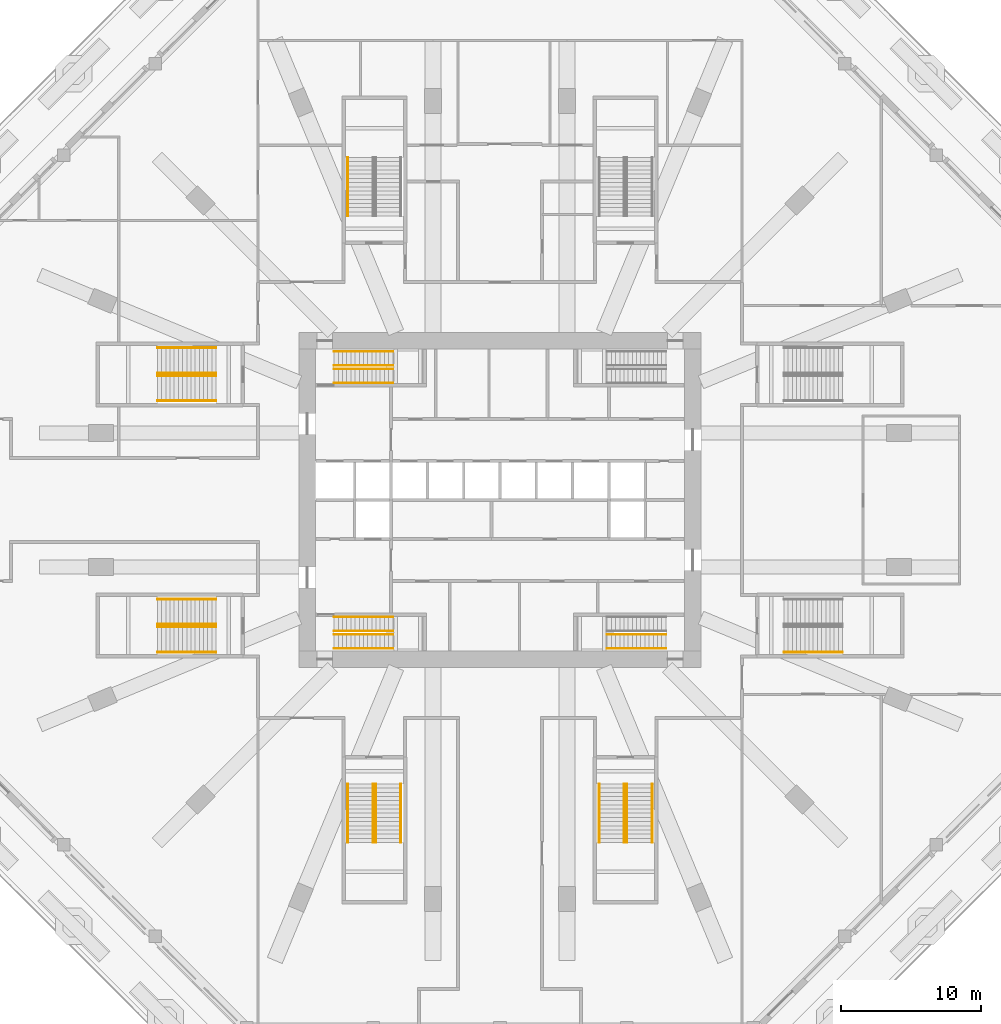
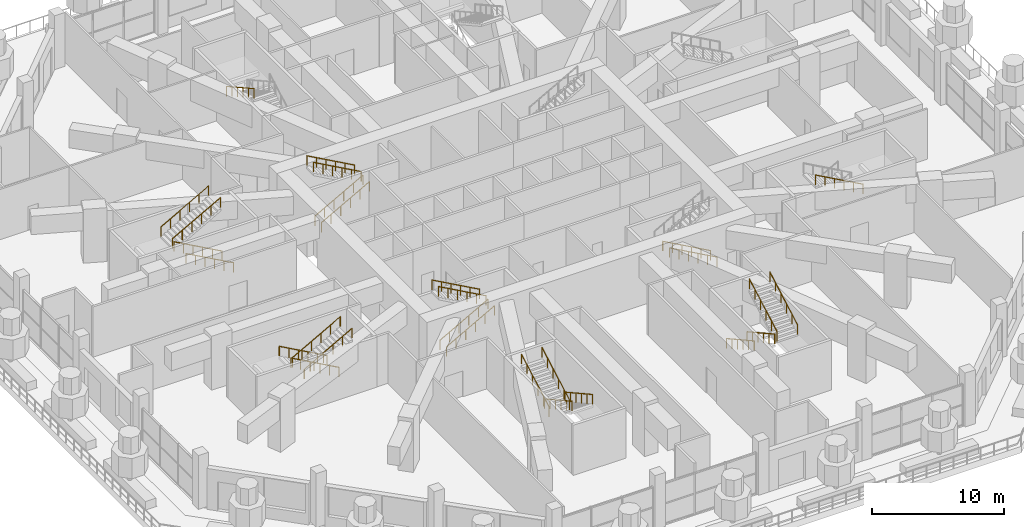
# One storey, part 23 of 25: 28 railings.
"""IFC4 building model written with IfcOpenShell, lengths in metres."""

from ifc_helpers import new_model, si_unit, direction, frame, origin, origin_2d, place, context, subcontext, project, spatial, circle, extrude, material, constituent, constituent_set, type_object, element, save


model = new_model("IFC4")

# Units and contexts
model_context = context("Model", 3, precision=1e-05, world=origin(), true_north=direction((0.0, 1.0)))
body_context = subcontext(model_context, "Body", "Model", "MODEL_VIEW")
ifc_project = project(units=[si_unit("LENGTHUNIT", "METRE"), si_unit("AREAUNIT", "SQUARE_METRE"), si_unit("VOLUMEUNIT", "CUBIC_METRE"), si_unit("PLANEANGLEUNIT", "RADIAN"), si_unit("MASSUNIT", "GRAM", prefix="KILO")], contexts=[model_context])

# Site, building, storey
site_placement = place(None, origin())
site = spatial("IfcSite", under=ifc_project, at=site_placement, CompositionType="ELEMENT")
building_placement = place(site_placement, origin())
building = spatial("IfcBuilding", under=site, at=building_placement, Name="Msitu Wima Residences", CompositionType="ELEMENT")
storey_placement = place(building_placement, frame((0.0, 0.0, 11.0)))
storey = spatial("IfcBuildingStorey", under=building, at=storey_placement, Name="L02", CompositionType="ELEMENT", Elevation=11.0)

# Railings
ifc_material_1 = material(Name="Steel S355", Category="steel")
ifc_constituent_1 = constituent(ifc_material_1, Name="Steel S355")
ifc_material_2 = material(Name="Black powder coating")
ifc_constituent_2 = constituent(ifc_material_2, Name="Black powder coating")
ifc_constituent_set = constituent_set(constituents=[ifc_constituent_1, ifc_constituent_2], Name="Steel S355")
railing_type = type_object("IfcRailingType", Name="Stair handrail HR1", PredefinedType="HANDRAIL", material=ifc_constituent_set)
for number, where, name in (
    (1, (-11.875, 8.375, 0.166748046875), "Stair 1 handrail"),
    (2, (-11.875, 9.375, 0.166748046875), "Stair 1 handrail"),
):
    element("IfcRailing", number, at=place(storey_placement, frame(where)), inside=storey, type_object=railing_type, Name=name, PredefinedType="HANDRAIL", context=body_context, shape_type="SweptSolid", body=[
        extrude(circle(Radius=0.02392578125, at=origin_2d()), frame((0.0, 0.0, 0.8759765625), z_axis=(0.874162069901, 0.0, 0.485634302275), x_axis=(0.0, 1.0, 0.0)), (0.0, 0.0, 1.0), 4.804443359375),
        extrude(circle(Radius=0.02099609375, at=origin_2d()), origin(), (0.0, 0.0, 1.0), 0.851806640625),
        extrude(circle(Radius=0.02099609375, at=origin_2d()), frame((0.840087890625, 0.0, 0.466552734375)), (0.0, 0.0, 1.0), 0.851806640625),
        extrude(circle(Radius=0.02099609375, at=origin_2d()), frame((1.679931640625, 0.0, 0.933349609375)), (0.0, 0.0, 1.0), 0.851806640625),
        extrude(circle(Radius=0.02099609375, at=origin_2d()), frame((2.52001953125, 0.0, 1.39990234375)), (0.0, 0.0, 1.0), 0.851806640625),
        extrude(circle(Radius=0.02099609375, at=origin_2d()), frame((3.35986328125, 0.0, 1.86669921875)), (0.0, 0.0, 1.0), 0.851806640625),
        extrude(circle(Radius=0.02099609375, at=origin_2d()), frame((4.199951171875, 0.0, 2.333251953125)), (0.0, 0.0, 1.0), 0.851806640625),
    ])
for number, where, name in (
    (3, (-7.675048828125, 9.625, 2.666748046875), "Stair 1 handrail"),
    (4, (-7.675048828125, 10.625, 2.666748046875), "Stair 1 handrail"),
):
    element("IfcRailing", number, at=place(storey_placement, frame(where)), inside=storey, type_object=railing_type, Name=name, PredefinedType="HANDRAIL", context=body_context, shape_type="SweptSolid", body=[
        extrude(circle(Radius=0.02392578125, at=origin_2d()), frame((0.0, 0.0, 0.8759765625), z_axis=(-0.874162069901, 0.0, 0.485634302275), x_axis=(0.0, -1.0, 0.0)), (0.0, 0.0, 1.0), 4.804443359375),
        extrude(circle(Radius=0.02099609375, at=origin_2d()), origin(), (0.0, 0.0, 1.0), 0.851806640625),
        extrude(circle(Radius=0.02099609375, at=origin_2d()), frame((-0.840087890625, 0.0, 0.466552734375)), (0.0, 0.0, 1.0), 0.851806640625),
        extrude(circle(Radius=0.02099609375, at=origin_2d()), frame((-1.679931640625, 0.0, 0.933349609375)), (0.0, 0.0, 1.0), 0.851806640625),
        extrude(circle(Radius=0.02099609375, at=origin_2d()), frame((-2.52001953125, 0.0, 1.39990234375)), (0.0, 0.0, 1.0), 0.851806640625),
        extrude(circle(Radius=0.02099609375, at=origin_2d()), frame((-3.35986328125, 0.0, 1.86669921875)), (0.0, 0.0, 1.0), 0.851806640625),
        extrude(circle(Radius=0.02099609375, at=origin_2d()), frame((-4.199951171875, 0.0, 2.333251953125)), (0.0, 0.0, 1.0), 0.851806640625),
    ])
for number, where, name in (
    (5, (-11.875, -10.625, 0.166748046875), "Stair 2 handrail"),
    (6, (-11.875, -9.625, 0.166748046875), "Stair 2 handrail"),
):
    element("IfcRailing", number, at=place(storey_placement, frame(where)), inside=storey, type_object=railing_type, Name=name, PredefinedType="HANDRAIL", context=body_context, shape_type="SweptSolid", body=[
        extrude(circle(Radius=0.02392578125, at=origin_2d()), frame((0.0, 0.0, 0.8759765625), z_axis=(0.874162069901, 0.0, 0.485634302275), x_axis=(0.0, 1.0, 0.0)), (0.0, 0.0, 1.0), 4.804443359375),
        extrude(circle(Radius=0.02099609375, at=origin_2d()), origin(), (0.0, 0.0, 1.0), 0.851806640625),
        extrude(circle(Radius=0.02099609375, at=origin_2d()), frame((0.840087890625, 0.0, 0.466552734375)), (0.0, 0.0, 1.0), 0.851806640625),
        extrude(circle(Radius=0.02099609375, at=origin_2d()), frame((1.679931640625, 0.0, 0.933349609375)), (0.0, 0.0, 1.0), 0.851806640625),
        extrude(circle(Radius=0.02099609375, at=origin_2d()), frame((2.52001953125, 0.0, 1.39990234375)), (0.0, 0.0, 1.0), 0.851806640625),
        extrude(circle(Radius=0.02099609375, at=origin_2d()), frame((3.35986328125, 0.0, 1.86669921875)), (0.0, 0.0, 1.0), 0.851806640625),
        extrude(circle(Radius=0.02099609375, at=origin_2d()), frame((4.199951171875, 0.0, 2.333251953125)), (0.0, 0.0, 1.0), 0.851806640625),
    ])
for number, where, name in (
    (7, (-7.675048828125, -9.375, 2.666748046875), "Stair 2 handrail"),
    (8, (-7.675048828125, -8.375, 2.666748046875), "Stair 2 handrail"),
    (9, (11.875, -10.625, 0.166748046875), "Stair 4 handrail"),
    (10, (11.875, -9.625, 0.166748046875), "Stair 4 handrail"),
    (11, (24.52490234375, -10.89990234375, 2.666748046875), "Podium exit stair 2 handrail"),
):
    element("IfcRailing", number, at=place(storey_placement, frame(where)), inside=storey, type_object=railing_type, Name=name, PredefinedType="HANDRAIL", context=body_context, shape_type="SweptSolid", body=[
        extrude(circle(Radius=0.02392578125, at=origin_2d()), frame((0.0, 0.0, 0.8759765625), z_axis=(-0.874162069901, 0.0, 0.485634302275), x_axis=(0.0, -1.0, 0.0)), (0.0, 0.0, 1.0), 4.804443359375),
        extrude(circle(Radius=0.02099609375, at=origin_2d()), origin(), (0.0, 0.0, 1.0), 0.851806640625),
        extrude(circle(Radius=0.02099609375, at=origin_2d()), frame((-0.840087890625, 0.0, 0.466552734375)), (0.0, 0.0, 1.0), 0.851806640625),
        extrude(circle(Radius=0.02099609375, at=origin_2d()), frame((-1.679931640625, 0.0, 0.933349609375)), (0.0, 0.0, 1.0), 0.851806640625),
        extrude(circle(Radius=0.02099609375, at=origin_2d()), frame((-2.52001953125, 0.0, 1.39990234375)), (0.0, 0.0, 1.0), 0.851806640625),
        extrude(circle(Radius=0.02099609375, at=origin_2d()), frame((-3.35986328125, 0.0, 1.86669921875)), (0.0, 0.0, 1.0), 0.851806640625),
        extrude(circle(Radius=0.02099609375, at=origin_2d()), frame((-4.199951171875, 0.0, 2.333251953125)), (0.0, 0.0, 1.0), 0.851806640625),
    ])
railing_placement = place(storey_placement, frame((-10.89990234375, 24.52490234375, 2.666748046875)))
element("IfcRailing", 12, at=railing_placement, inside=storey, type_object=railing_type, Name="Podium exit stair 3 handrail", PredefinedType="HANDRAIL", context=body_context, shape_type="SweptSolid", body=[
    extrude(circle(Radius=0.02392578125, at=origin_2d()), frame((0.0, 0.0, 0.8759765625), z_axis=(0.0, -0.874162069901, 0.485634302275), x_axis=(1.0, 0.0, 0.0)), (0.0, 0.0, 1.0), 4.804443359375),
    extrude(circle(Radius=0.02099609375, at=origin_2d()), origin(), (0.0, 0.0, 1.0), 0.851806640625),
    extrude(circle(Radius=0.02099609375, at=origin_2d()), frame((0.0, -0.840087890625, 0.466552734375)), (0.0, 0.0, 1.0), 0.851806640625),
    extrude(circle(Radius=0.02099609375, at=origin_2d()), frame((0.0, -1.679931640625, 0.933349609375)), (0.0, 0.0, 1.0), 0.851806640625),
    extrude(circle(Radius=0.02099609375, at=origin_2d()), frame((0.0, -2.52001953125, 1.39990234375)), (0.0, 0.0, 1.0), 0.851806640625),
    extrude(circle(Radius=0.02099609375, at=origin_2d()), frame((0.0, -3.35986328125, 1.86669921875)), (0.0, 0.0, 1.0), 0.851806640625),
    extrude(circle(Radius=0.02099609375, at=origin_2d()), frame((0.0, -4.199951171875, 2.333251953125)), (0.0, 0.0, 1.0), 0.851806640625),
])
for number, where, name in (
    (13, (-20.324951171875, -7.10009765625, 0.166748046875), "Podium exit stair 5 handrail"),
    (14, (-20.324951171875, -8.89990234375, 0.166748046875), "Podium exit stair 5 handrail"),
):
    element("IfcRailing", number, at=place(storey_placement, frame(where)), inside=storey, type_object=railing_type, Name=name, PredefinedType="HANDRAIL", context=body_context, shape_type="SweptSolid", body=[
        extrude(circle(Radius=0.02392578125, at=origin_2d()), frame((0.0, 0.0, 0.8759765625), z_axis=(-0.874162069901, 0.0, 0.485634302275), x_axis=(0.0, -1.0, 0.0)), (0.0, 0.0, 1.0), 4.804443359375),
        extrude(circle(Radius=0.02099609375, at=origin_2d()), origin(), (0.0, 0.0, 1.0), 0.851806640625),
        extrude(circle(Radius=0.02099609375, at=origin_2d()), frame((-0.840087890625, 0.0, 0.466552734375)), (0.0, 0.0, 1.0), 0.851806640625),
        extrude(circle(Radius=0.02099609375, at=origin_2d()), frame((-1.679931640625, 0.0, 0.933349609375)), (0.0, 0.0, 1.0), 0.851806640625),
        extrude(circle(Radius=0.02099609375, at=origin_2d()), frame((-2.52001953125, 0.0, 1.39990234375)), (0.0, 0.0, 1.0), 0.851806640625),
        extrude(circle(Radius=0.02099609375, at=origin_2d()), frame((-3.35986328125, 0.0, 1.86669921875)), (0.0, 0.0, 1.0), 0.851806640625),
        extrude(circle(Radius=0.02099609375, at=origin_2d()), frame((-4.199951171875, 0.0, 2.333251953125)), (0.0, 0.0, 1.0), 0.851806640625),
    ])
for number, where, name in (
    (15, (-24.52490234375, -9.10009765625, 2.666748046875), "Podium exit stair 5 handrail"),
    (16, (-24.52490234375, -10.89990234375, 2.666748046875), "Podium exit stair 5 handrail"),
):
    element("IfcRailing", number, at=place(storey_placement, frame(where)), inside=storey, type_object=railing_type, Name=name, PredefinedType="HANDRAIL", context=body_context, shape_type="SweptSolid", body=[
        extrude(circle(Radius=0.02392578125, at=origin_2d()), frame((0.0, 0.0, 0.8759765625), z_axis=(0.874162069901, 0.0, 0.485634302275), x_axis=(0.0, 1.0, 0.0)), (0.0, 0.0, 1.0), 4.804443359375),
        extrude(circle(Radius=0.02099609375, at=origin_2d()), origin(), (0.0, 0.0, 1.0), 0.851806640625),
        extrude(circle(Radius=0.02099609375, at=origin_2d()), frame((0.840087890625, 0.0, 0.466552734375)), (0.0, 0.0, 1.0), 0.851806640625),
        extrude(circle(Radius=0.02099609375, at=origin_2d()), frame((1.679931640625, 0.0, 0.933349609375)), (0.0, 0.0, 1.0), 0.851806640625),
        extrude(circle(Radius=0.02099609375, at=origin_2d()), frame((2.52001953125, 0.0, 1.39990234375)), (0.0, 0.0, 1.0), 0.851806640625),
        extrude(circle(Radius=0.02099609375, at=origin_2d()), frame((3.35986328125, 0.0, 1.86669921875)), (0.0, 0.0, 1.0), 0.851806640625),
        extrude(circle(Radius=0.02099609375, at=origin_2d()), frame((4.199951171875, 0.0, 2.333251953125)), (0.0, 0.0, 1.0), 0.851806640625),
    ])
for number, where, name in (
    (17, (-20.324951171875, 7.10009765625, 0.166748046875), "Podium exit stair 6 handrail"),
    (18, (-20.324951171875, 8.89990234375, 0.166748046875), "Podium exit stair 6 handrail"),
):
    element("IfcRailing", number, at=place(storey_placement, frame(where)), inside=storey, type_object=railing_type, Name=name, PredefinedType="HANDRAIL", context=body_context, shape_type="SweptSolid", body=[
        extrude(circle(Radius=0.02392578125, at=origin_2d()), frame((0.0, 0.0, 0.8759765625), z_axis=(-0.874162069901, 0.0, 0.485634302275), x_axis=(0.0, -1.0, 0.0)), (0.0, 0.0, 1.0), 4.804443359375),
        extrude(circle(Radius=0.02099609375, at=origin_2d()), origin(), (0.0, 0.0, 1.0), 0.851806640625),
        extrude(circle(Radius=0.02099609375, at=origin_2d()), frame((-0.840087890625, 0.0, 0.466552734375)), (0.0, 0.0, 1.0), 0.851806640625),
        extrude(circle(Radius=0.02099609375, at=origin_2d()), frame((-1.679931640625, 0.0, 0.933349609375)), (0.0, 0.0, 1.0), 0.851806640625),
        extrude(circle(Radius=0.02099609375, at=origin_2d()), frame((-2.52001953125, 0.0, 1.39990234375)), (0.0, 0.0, 1.0), 0.851806640625),
        extrude(circle(Radius=0.02099609375, at=origin_2d()), frame((-3.35986328125, 0.0, 1.86669921875)), (0.0, 0.0, 1.0), 0.851806640625),
        extrude(circle(Radius=0.02099609375, at=origin_2d()), frame((-4.199951171875, 0.0, 2.333251953125)), (0.0, 0.0, 1.0), 0.851806640625),
    ])
for number, where, name in (
    (19, (-24.52490234375, 9.10009765625, 2.666748046875), "Podium exit stair 6 handrail"),
    (20, (-24.52490234375, 10.89990234375, 2.666748046875), "Podium exit stair 6 handrail"),
):
    element("IfcRailing", number, at=place(storey_placement, frame(where)), inside=storey, type_object=railing_type, Name=name, PredefinedType="HANDRAIL", context=body_context, shape_type="SweptSolid", body=[
        extrude(circle(Radius=0.02392578125, at=origin_2d()), frame((0.0, 0.0, 0.8759765625), z_axis=(0.874162069901, 0.0, 0.485634302275), x_axis=(0.0, 1.0, 0.0)), (0.0, 0.0, 1.0), 4.804443359375),
        extrude(circle(Radius=0.02099609375, at=origin_2d()), origin(), (0.0, 0.0, 1.0), 0.851806640625),
        extrude(circle(Radius=0.02099609375, at=origin_2d()), frame((0.840087890625, 0.0, 0.466552734375)), (0.0, 0.0, 1.0), 0.851806640625),
        extrude(circle(Radius=0.02099609375, at=origin_2d()), frame((1.679931640625, 0.0, 0.933349609375)), (0.0, 0.0, 1.0), 0.851806640625),
        extrude(circle(Radius=0.02099609375, at=origin_2d()), frame((2.52001953125, 0.0, 1.39990234375)), (0.0, 0.0, 1.0), 0.851806640625),
        extrude(circle(Radius=0.02099609375, at=origin_2d()), frame((3.35986328125, 0.0, 1.86669921875)), (0.0, 0.0, 1.0), 0.851806640625),
        extrude(circle(Radius=0.02099609375, at=origin_2d()), frame((4.199951171875, 0.0, 2.333251953125)), (0.0, 0.0, 1.0), 0.851806640625),
    ])
for number, where, name in (
    (21, (7.10009765625, -20.324951171875, 0.166748046875), "Podium exit stair 7 handrail"),
    (22, (8.89990234375, -20.324951171875, 0.166748046875), "Podium exit stair 7 handrail"),
):
    element("IfcRailing", number, at=place(storey_placement, frame(where)), inside=storey, type_object=railing_type, Name=name, PredefinedType="HANDRAIL", context=body_context, shape_type="SweptSolid", body=[
        extrude(circle(Radius=0.02392578125, at=origin_2d()), frame((0.0, 0.0, 0.8759765625), z_axis=(0.0, -0.874162069901, 0.485634302275), x_axis=(1.0, 0.0, 0.0)), (0.0, 0.0, 1.0), 4.804443359375),
        extrude(circle(Radius=0.02099609375, at=origin_2d()), origin(), (0.0, 0.0, 1.0), 0.851806640625),
        extrude(circle(Radius=0.02099609375, at=origin_2d()), frame((0.0, -0.840087890625, 0.466552734375)), (0.0, 0.0, 1.0), 0.851806640625),
        extrude(circle(Radius=0.02099609375, at=origin_2d()), frame((0.0, -1.679931640625, 0.933349609375)), (0.0, 0.0, 1.0), 0.851806640625),
        extrude(circle(Radius=0.02099609375, at=origin_2d()), frame((0.0, -2.52001953125, 1.39990234375)), (0.0, 0.0, 1.0), 0.851806640625),
        extrude(circle(Radius=0.02099609375, at=origin_2d()), frame((0.0, -3.35986328125, 1.86669921875)), (0.0, 0.0, 1.0), 0.851806640625),
        extrude(circle(Radius=0.02099609375, at=origin_2d()), frame((0.0, -4.199951171875, 2.333251953125)), (0.0, 0.0, 1.0), 0.851806640625),
    ])
for number, where, name in (
    (23, (9.10009765625, -24.52490234375, 2.666748046875), "Podium exit stair 7 handrail"),
    (24, (10.89990234375, -24.52490234375, 2.666748046875), "Podium exit stair 7 handrail"),
):
    element("IfcRailing", number, at=place(storey_placement, frame(where)), inside=storey, type_object=railing_type, Name=name, PredefinedType="HANDRAIL", context=body_context, shape_type="SweptSolid", body=[
        extrude(circle(Radius=0.02392578125, at=origin_2d()), frame((0.0, 0.0, 0.8759765625), z_axis=(0.0, 0.874162069901, 0.485634302275), x_axis=(-1.0, 0.0, 0.0)), (0.0, 0.0, 1.0), 4.804443359375),
        extrude(circle(Radius=0.02099609375, at=origin_2d()), origin(), (0.0, 0.0, 1.0), 0.851806640625),
        extrude(circle(Radius=0.02099609375, at=origin_2d()), frame((0.0, 0.840087890625, 0.466552734375)), (0.0, 0.0, 1.0), 0.851806640625),
        extrude(circle(Radius=0.02099609375, at=origin_2d()), frame((0.0, 1.679931640625, 0.933349609375)), (0.0, 0.0, 1.0), 0.851806640625),
        extrude(circle(Radius=0.02099609375, at=origin_2d()), frame((0.0, 2.52001953125, 1.39990234375)), (0.0, 0.0, 1.0), 0.851806640625),
        extrude(circle(Radius=0.02099609375, at=origin_2d()), frame((0.0, 3.35986328125, 1.86669921875)), (0.0, 0.0, 1.0), 0.851806640625),
        extrude(circle(Radius=0.02099609375, at=origin_2d()), frame((0.0, 4.199951171875, 2.333251953125)), (0.0, 0.0, 1.0), 0.851806640625),
    ])
for number, where, name in (
    (25, (-7.10009765625, -20.324951171875, 0.166748046875), "Podium exit stair 8 handrail"),
    (26, (-8.89990234375, -20.324951171875, 0.166748046875), "Podium exit stair 8 handrail"),
):
    element("IfcRailing", number, at=place(storey_placement, frame(where)), inside=storey, type_object=railing_type, Name=name, PredefinedType="HANDRAIL", context=body_context, shape_type="SweptSolid", body=[
        extrude(circle(Radius=0.02392578125, at=origin_2d()), frame((0.0, 0.0, 0.8759765625), z_axis=(0.0, -0.874162069901, 0.485634302275), x_axis=(1.0, 0.0, 0.0)), (0.0, 0.0, 1.0), 4.804443359375),
        extrude(circle(Radius=0.02099609375, at=origin_2d()), origin(), (0.0, 0.0, 1.0), 0.851806640625),
        extrude(circle(Radius=0.02099609375, at=origin_2d()), frame((0.0, -0.840087890625, 0.466552734375)), (0.0, 0.0, 1.0), 0.851806640625),
        extrude(circle(Radius=0.02099609375, at=origin_2d()), frame((0.0, -1.679931640625, 0.933349609375)), (0.0, 0.0, 1.0), 0.851806640625),
        extrude(circle(Radius=0.02099609375, at=origin_2d()), frame((0.0, -2.52001953125, 1.39990234375)), (0.0, 0.0, 1.0), 0.851806640625),
        extrude(circle(Radius=0.02099609375, at=origin_2d()), frame((0.0, -3.35986328125, 1.86669921875)), (0.0, 0.0, 1.0), 0.851806640625),
        extrude(circle(Radius=0.02099609375, at=origin_2d()), frame((0.0, -4.199951171875, 2.333251953125)), (0.0, 0.0, 1.0), 0.851806640625),
    ])
for number, where, name in (
    (27, (-9.10009765625, -24.52490234375, 2.666748046875), "Podium exit stair 8 handrail"),
    (28, (-10.89990234375, -24.52490234375, 2.666748046875), "Podium exit stair 8 handrail"),
):
    element("IfcRailing", number, at=place(storey_placement, frame(where)), inside=storey, type_object=railing_type, Name=name, PredefinedType="HANDRAIL", context=body_context, shape_type="SweptSolid", body=[
        extrude(circle(Radius=0.02392578125, at=origin_2d()), frame((0.0, 0.0, 0.8759765625), z_axis=(0.0, 0.874162069901, 0.485634302275), x_axis=(-1.0, 0.0, 0.0)), (0.0, 0.0, 1.0), 4.804443359375),
        extrude(circle(Radius=0.02099609375, at=origin_2d()), origin(), (0.0, 0.0, 1.0), 0.851806640625),
        extrude(circle(Radius=0.02099609375, at=origin_2d()), frame((0.0, 0.840087890625, 0.466552734375)), (0.0, 0.0, 1.0), 0.851806640625),
        extrude(circle(Radius=0.02099609375, at=origin_2d()), frame((0.0, 1.679931640625, 0.933349609375)), (0.0, 0.0, 1.0), 0.851806640625),
        extrude(circle(Radius=0.02099609375, at=origin_2d()), frame((0.0, 2.52001953125, 1.39990234375)), (0.0, 0.0, 1.0), 0.851806640625),
        extrude(circle(Radius=0.02099609375, at=origin_2d()), frame((0.0, 3.35986328125, 1.86669921875)), (0.0, 0.0, 1.0), 0.851806640625),
        extrude(circle(Radius=0.02099609375, at=origin_2d()), frame((0.0, 4.199951171875, 2.333251953125)), (0.0, 0.0, 1.0), 0.851806640625),
    ])

save(model, "model.ifc")
